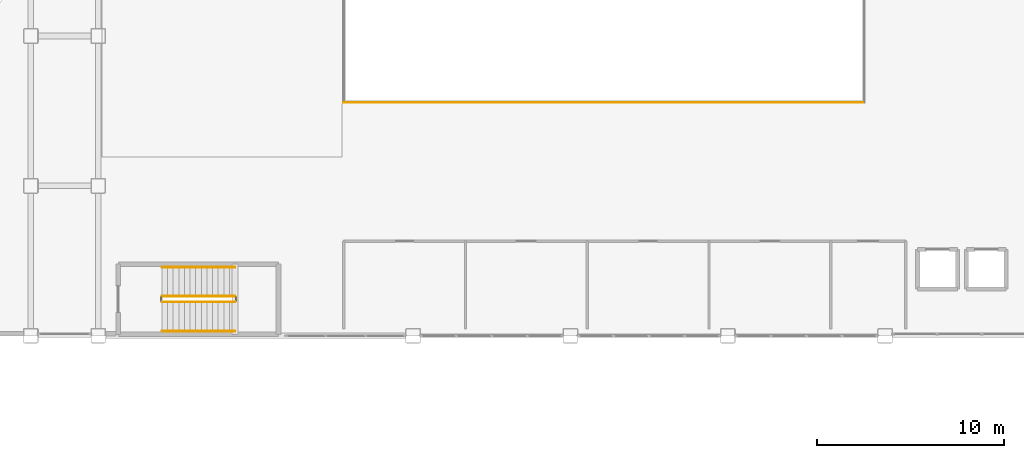
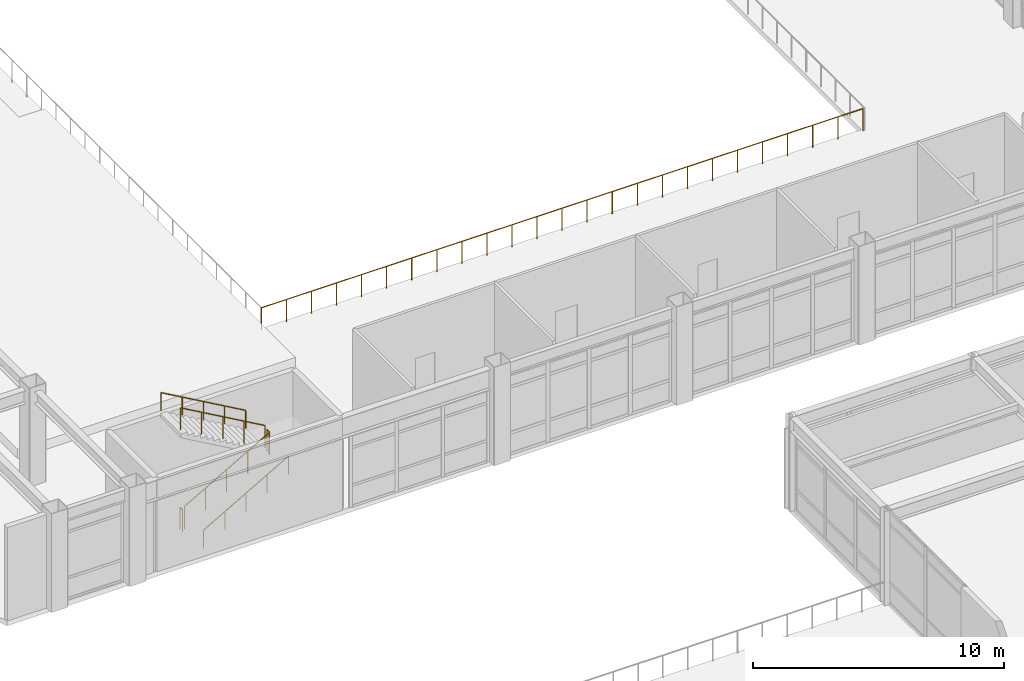
# One storey, part 142 of 154: 7 railings.
"""IFC4 building model written with IfcOpenShell, lengths in metres."""

from ifc_helpers import new_model, si_unit, direction, frame, origin, origin_2d, place, context, subcontext, project, spatial, circle, extrude, material, type_object, element, save


model = new_model("IFC4")

# Units and contexts
model_context = context("Model", 3, precision=1e-05, world=origin(), true_north=direction((0.0, 1.0)))
body_context = subcontext(model_context, "Body", "Model", "MODEL_VIEW")
ifc_project = project(units=[si_unit("LENGTHUNIT", "METRE"), si_unit("AREAUNIT", "SQUARE_METRE"), si_unit("VOLUMEUNIT", "CUBIC_METRE"), si_unit("PLANEANGLEUNIT", "RADIAN"), si_unit("MASSUNIT", "GRAM", prefix="KILO")], contexts=[model_context])

# Site, building, storey
site_placement = place(None, origin())
site = spatial("IfcSite", under=ifc_project, at=site_placement, CompositionType="ELEMENT")
building_placement = place(site_placement, origin())
building = spatial("IfcBuilding", under=site, at=building_placement, Name="Kazehara Bluff Congress Hotel", CompositionType="ELEMENT")
storey_placement = place(building_placement, frame((0.0, 0.0, 10.199951171875)))
storey = spatial("IfcBuildingStorey", under=building, at=storey_placement, Name="L02", CompositionType="ELEMENT", Elevation=10.199951171875)

# Railings
ifc_material_1 = material(Name="Brushed stainless steel", Category="steel")
railing_type_1 = type_object("IfcRailingType", Name="TP-GRD-INT", PredefinedType="GUARDRAIL", material=ifc_material_1)
railing_1_placement = place(storey_placement, frame((11.800048828125, 50.25, 0.17138671875)))
element("IfcRailing", 1, at=railing_1_placement, inside=storey, type_object=railing_type_1, Name="L02 ST-03 stair guard 1", PredefinedType="GUARDRAIL", context=body_context, shape_type="SweptSolid", body=[
    extrude(circle(Radius=0.02392578125, at=origin_2d()), frame((0.0, 0.0, 1.076171875), z_axis=(0.868219727965, 0.0, 0.496179910892), x_axis=(0.0, 1.0, 0.0)), (0.0, 0.0, 1.0), 4.491943359375),
    extrude(circle(Radius=0.02099609375, at=origin_2d()), origin(), (0.0, 0.0, 1.0), 1.052001953125),
    extrude(circle(Radius=0.02099609375, at=origin_2d()), frame((0.97509765625, 0.0, 0.55712890625)), (0.0, 0.0, 1.0), 1.052001953125),
    extrude(circle(Radius=0.02099609375, at=origin_2d()), frame((1.949951171875, 0.0, 1.1142578125)), (0.0, 0.0, 1.0), 1.052001953125),
    extrude(circle(Radius=0.02099609375, at=origin_2d()), frame((2.9248046875, 0.0, 1.671630859375)), (0.0, 0.0, 1.0), 1.052001953125),
    extrude(circle(Radius=0.02099609375, at=origin_2d()), frame((3.89990234375, 0.0, 2.228759765625)), (0.0, 0.0, 1.0), 1.052001953125),
])
railing_2_placement = place(storey_placement, frame((15.75, 50.300048828125, 2.400146484375)))
element("IfcRailing", 2, at=railing_2_placement, inside=storey, type_object=railing_type_1, Name="L02 ST-03 stair guard 2", PredefinedType="GUARDRAIL", context=body_context, shape_type="SweptSolid", body=[
    extrude(circle(Radius=0.02392578125, at=origin_2d()), frame((0.0, 0.0, 1.076171875), z_axis=(0.0, 1.0, 0.0), x_axis=(-1.0, 0.0, 0.0)), (0.0, 0.0, 1.0), 0.199951171875),
    extrude(circle(Radius=0.02099609375, at=origin_2d()), origin(), (0.0, 0.0, 1.0), 1.052001953125),
    extrude(circle(Radius=0.02099609375, at=origin_2d()), frame((0.0, 0.199951171875, 0.0)), (0.0, 0.0, 1.0), 1.052001953125),
])
railing_3_placement = place(storey_placement, frame((15.699951171875, 50.550048828125, 2.571533203125)))
element("IfcRailing", 3, at=railing_3_placement, inside=storey, type_object=railing_type_1, Name="L02 ST-03 stair guard 3", PredefinedType="GUARDRAIL", context=body_context, shape_type="SweptSolid", body=[
    extrude(circle(Radius=0.02392578125, at=origin_2d()), frame((0.0, 0.0, 1.076171875), z_axis=(-0.868243142124, 0.0, 0.496138938357), x_axis=(0.0, -1.0, 0.0)), (0.0, 0.0, 1.0), 4.49169921875),
    extrude(circle(Radius=0.02099609375, at=origin_2d()), origin(), (0.0, 0.0, 1.0), 1.052001953125),
    extrude(circle(Radius=0.02099609375, at=origin_2d()), frame((-0.97509765625, 0.0, 0.55712890625)), (0.0, 0.0, 1.0), 1.052001953125),
    extrude(circle(Radius=0.02099609375, at=origin_2d()), frame((-1.949951171875, 0.0, 1.1142578125)), (0.0, 0.0, 1.0), 1.052001953125),
    extrude(circle(Radius=0.02099609375, at=origin_2d()), frame((-2.9248046875, 0.0, 1.67138671875)), (0.0, 0.0, 1.0), 1.052001953125),
    extrude(circle(Radius=0.02099609375, at=origin_2d()), frame((-3.89990234375, 0.0, 2.228515625)), (0.0, 0.0, 1.0), 1.052001953125),
])
railing_4_placement = place(storey_placement, frame((11.75, 50.300048828125, 0.0)))
element("IfcRailing", 4, at=railing_4_placement, inside=storey, type_object=railing_type_1, Name="L02 ST-03 stair guard 4", PredefinedType="GUARDRAIL", context=body_context, shape_type="SweptSolid", body=[
    extrude(circle(Radius=0.02392578125, at=origin_2d()), frame((0.0, 0.0, 1.076171875), z_axis=(0.0, 1.0, 0.0), x_axis=(-1.0, 0.0, 0.0)), (0.0, 0.0, 1.0), 0.199951171875),
    extrude(circle(Radius=0.02099609375, at=origin_2d()), origin(), (0.0, 0.0, 1.0), 1.052001953125),
    extrude(circle(Radius=0.02099609375, at=origin_2d()), frame((0.0, 0.199951171875, 0.0)), (0.0, 0.0, 1.0), 1.052001953125),
])
railing_5_placement = place(storey_placement, frame((21.5, 60.89990234375, 0.0)))
element("IfcRailing", 5, at=railing_5_placement, inside=storey, type_object=railing_type_1, Name="L02 V1-VOID void guardrail S", PredefinedType="GUARDRAIL", context=body_context, shape_type="SweptSolid", body=[
    extrude(circle(Radius=0.02392578125, at=origin_2d()), frame((0.0, 0.0, 1.076171875), z_axis=(1.0, 0.0, 0.0), x_axis=(0.0, 1.0, 0.0)), (0.0, 0.0, 1.0), 27.719970703125),
    extrude(circle(Radius=0.02099609375, at=origin_2d()), origin(), (0.0, 0.0, 1.0), 1.052001953125),
    extrude(circle(Radius=0.02099609375, at=origin_2d()), frame((1.155029296875, 0.0, 0.0)), (0.0, 0.0, 1.0), 1.052001953125),
    extrude(circle(Radius=0.02099609375, at=origin_2d()), frame((2.31005859375, 0.0, 0.0)), (0.0, 0.0, 1.0), 1.052001953125),
    extrude(circle(Radius=0.02099609375, at=origin_2d()), frame((3.465087890625, 0.0, 0.0)), (0.0, 0.0, 1.0), 1.052001953125),
    extrude(circle(Radius=0.02099609375, at=origin_2d()), frame((4.6201171875, 0.0, 0.0)), (0.0, 0.0, 1.0), 1.052001953125),
    extrude(circle(Radius=0.02099609375, at=origin_2d()), frame((5.77490234375, 0.0, 0.0)), (0.0, 0.0, 1.0), 1.052001953125),
    extrude(circle(Radius=0.02099609375, at=origin_2d()), frame((6.929931640625, 0.0, 0.0)), (0.0, 0.0, 1.0), 1.052001953125),
    extrude(circle(Radius=0.02099609375, at=origin_2d()), frame((8.0849609375, 0.0, 0.0)), (0.0, 0.0, 1.0), 1.052001953125),
    extrude(circle(Radius=0.02099609375, at=origin_2d()), frame((9.239990234375, 0.0, 0.0)), (0.0, 0.0, 1.0), 1.052001953125),
    extrude(circle(Radius=0.02099609375, at=origin_2d()), frame((10.39501953125, 0.0, 0.0)), (0.0, 0.0, 1.0), 1.052001953125),
    extrude(circle(Radius=0.02099609375, at=origin_2d()), frame((11.550048828125, 0.0, 0.0)), (0.0, 0.0, 1.0), 1.052001953125),
    extrude(circle(Radius=0.02099609375, at=origin_2d()), frame((12.705078125, 0.0, 0.0)), (0.0, 0.0, 1.0), 1.052001953125),
    extrude(circle(Radius=0.02099609375, at=origin_2d()), frame((13.85986328125, 0.0, 0.0)), (0.0, 0.0, 1.0), 1.052001953125),
    extrude(circle(Radius=0.02099609375, at=origin_2d()), frame((15.014892578125, 0.0, 0.0)), (0.0, 0.0, 1.0), 1.052001953125),
    extrude(circle(Radius=0.02099609375, at=origin_2d()), frame((16.169921875, 0.0, 0.0)), (0.0, 0.0, 1.0), 1.052001953125),
    extrude(circle(Radius=0.02099609375, at=origin_2d()), frame((17.324951171875, 0.0, 0.0)), (0.0, 0.0, 1.0), 1.052001953125),
    extrude(circle(Radius=0.02099609375, at=origin_2d()), frame((18.47998046875, 0.0, 0.0)), (0.0, 0.0, 1.0), 1.052001953125),
    extrude(circle(Radius=0.02099609375, at=origin_2d()), frame((19.635009765625, 0.0, 0.0)), (0.0, 0.0, 1.0), 1.052001953125),
    extrude(circle(Radius=0.02099609375, at=origin_2d()), frame((20.7900390625, 0.0, 0.0)), (0.0, 0.0, 1.0), 1.052001953125),
    extrude(circle(Radius=0.02099609375, at=origin_2d()), frame((21.945068359375, 0.0, 0.0)), (0.0, 0.0, 1.0), 1.052001953125),
    extrude(circle(Radius=0.02099609375, at=origin_2d()), frame((23.10009765625, 0.0, 0.0)), (0.0, 0.0, 1.0), 1.052001953125),
    extrude(circle(Radius=0.02099609375, at=origin_2d()), frame((24.2548828125, 0.0, 0.0)), (0.0, 0.0, 1.0), 1.052001953125),
    extrude(circle(Radius=0.02099609375, at=origin_2d()), frame((25.409912109375, 0.0, 0.0)), (0.0, 0.0, 1.0), 1.052001953125),
    extrude(circle(Radius=0.02099609375, at=origin_2d()), frame((26.56494140625, 0.0, 0.0)), (0.0, 0.0, 1.0), 1.052001953125),
    extrude(circle(Radius=0.02099609375, at=origin_2d()), frame((27.719970703125, 0.0, 0.0)), (0.0, 0.0, 1.0), 1.052001953125),
])
ifc_material_2 = material(Name="Brushed stainless steel", Category="steel")
railing_type_2 = type_object("IfcRailingType", Name="TP-HR-INT", PredefinedType="HANDRAIL", material=ifc_material_2)
railing_6_placement = place(storey_placement, frame((11.800048828125, 48.699951171875, 0.17138671875)))
element("IfcRailing", 6, at=railing_6_placement, inside=storey, type_object=railing_type_2, Name="L02 ST-03 stair handrail 1", PredefinedType="HANDRAIL", context=body_context, shape_type="SweptSolid", body=[
    extrude(circle(Radius=0.02392578125, at=origin_2d()), frame((0.0, 0.0, 0.8759765625), z_axis=(0.868219727965, 0.0, 0.496179910892), x_axis=(0.0, 1.0, 0.0)), (0.0, 0.0, 1.0), 4.491943359375),
    extrude(circle(Radius=0.02099609375, at=origin_2d()), origin(), (0.0, 0.0, 1.0), 0.851806640625),
    extrude(circle(Radius=0.02099609375, at=origin_2d()), frame((0.97509765625, 0.0, 0.55712890625)), (0.0, 0.0, 1.0), 0.851806640625),
    extrude(circle(Radius=0.02099609375, at=origin_2d()), frame((1.949951171875, 0.0, 1.1142578125)), (0.0, 0.0, 1.0), 0.851806640625),
    extrude(circle(Radius=0.02099609375, at=origin_2d()), frame((2.9248046875, 0.0, 1.671630859375)), (0.0, 0.0, 1.0), 0.851806640625),
    extrude(circle(Radius=0.02099609375, at=origin_2d()), frame((3.89990234375, 0.0, 2.228759765625)), (0.0, 0.0, 1.0), 0.851806640625),
])
railing_7_placement = place(storey_placement, frame((15.699951171875, 52.10009765625, 2.571533203125)))
element("IfcRailing", 7, at=railing_7_placement, inside=storey, type_object=railing_type_2, Name="L02 ST-03 stair handrail 2", PredefinedType="HANDRAIL", context=body_context, shape_type="SweptSolid", body=[
    extrude(circle(Radius=0.02392578125, at=origin_2d()), frame((0.0, 0.0, 0.8759765625), z_axis=(-0.868243142124, 0.0, 0.496138938357), x_axis=(0.0, -1.0, 0.0)), (0.0, 0.0, 1.0), 4.49169921875),
    extrude(circle(Radius=0.02099609375, at=origin_2d()), origin(), (0.0, 0.0, 1.0), 0.851806640625),
    extrude(circle(Radius=0.02099609375, at=origin_2d()), frame((-0.97509765625, 0.0, 0.55712890625)), (0.0, 0.0, 1.0), 0.851806640625),
    extrude(circle(Radius=0.02099609375, at=origin_2d()), frame((-1.949951171875, 0.0, 1.1142578125)), (0.0, 0.0, 1.0), 0.851806640625),
    extrude(circle(Radius=0.02099609375, at=origin_2d()), frame((-2.9248046875, 0.0, 1.67138671875)), (0.0, 0.0, 1.0), 0.851806640625),
    extrude(circle(Radius=0.02099609375, at=origin_2d()), frame((-3.89990234375, 0.0, 2.228515625)), (0.0, 0.0, 1.0), 0.851806640625),
])

save(model, "model.ifc")
